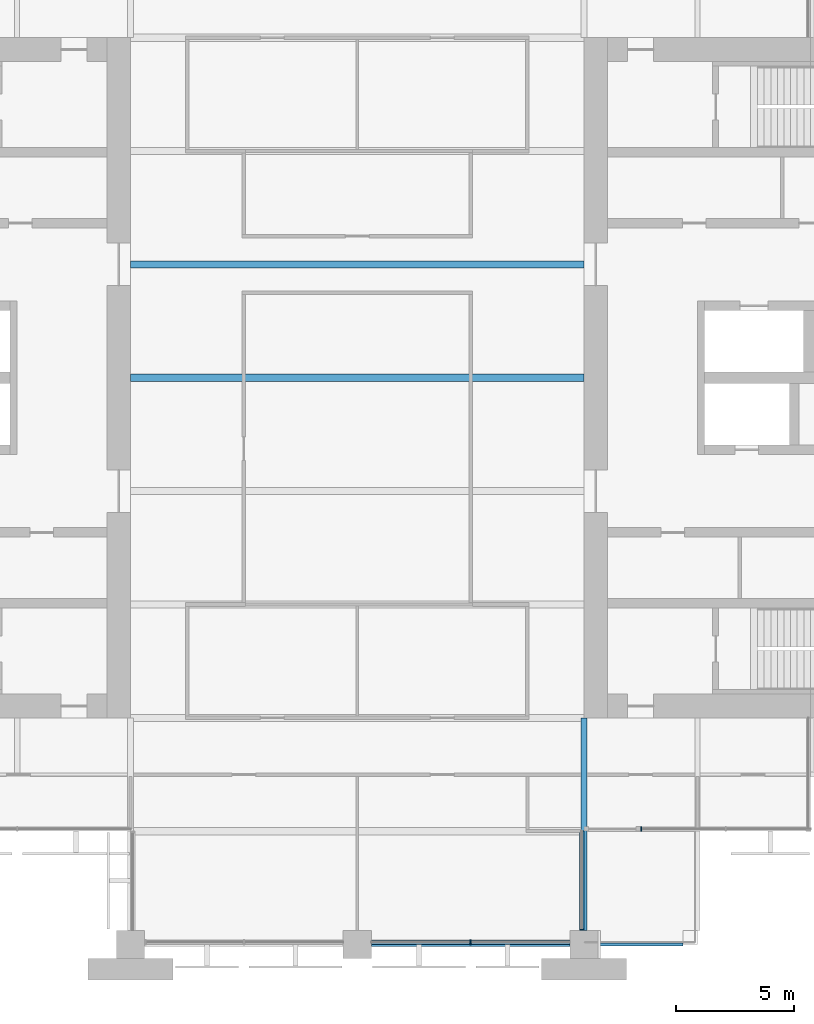
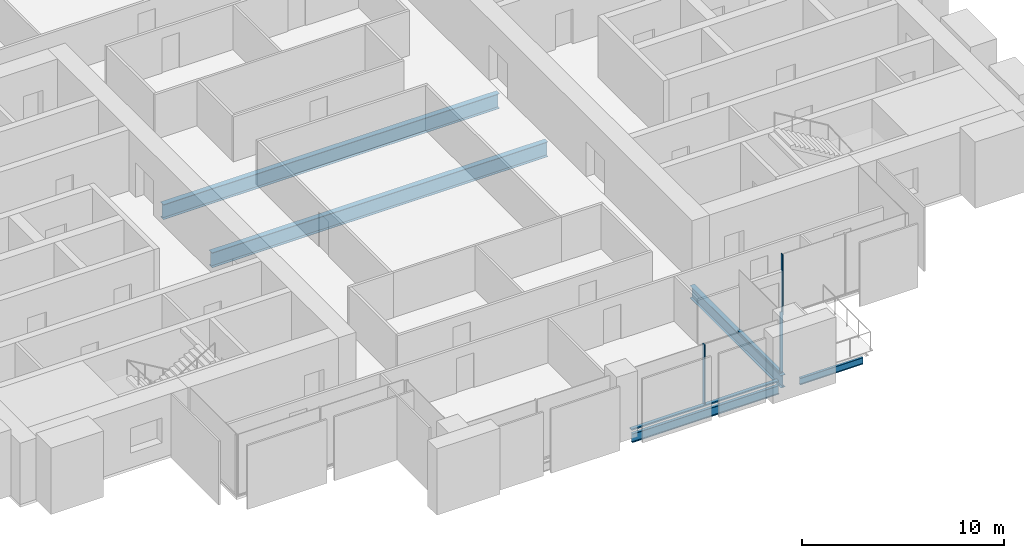
# One storey, part 3 of 13: 5 beams, 5 members, 3 elements without a shape of their own.
"""IFC4 building model written with IfcOpenShell, lengths in metres."""

from ifc_helpers import new_model, si_unit, direction, frame, origin, origin_2d, place, context, subcontext, project, spatial, rectangle, i_section, extrude, material, material_profile, profile_set, type_object, element, aggregate, save


model = new_model("IFC4")

# Units and contexts
model_context = context("Model", 3, precision=1e-05, world=origin(), true_north=direction((0.0, 1.0)))
body_context = subcontext(model_context, "Body", "Model", "MODEL_VIEW")
ifc_project = project(units=[si_unit("LENGTHUNIT", "METRE"), si_unit("AREAUNIT", "SQUARE_METRE"), si_unit("VOLUMEUNIT", "CUBIC_METRE"), si_unit("PLANEANGLEUNIT", "RADIAN"), si_unit("MASSUNIT", "GRAM", prefix="KILO")], contexts=[model_context])

# Site, building, storey
site_placement = place(None, origin())
site = spatial("IfcSite", under=ifc_project, at=site_placement, CompositionType="ELEMENT")
building_placement = place(site_placement, origin())
building = spatial("IfcBuilding", under=site, at=building_placement, Name="Baori Bourse Tower", CompositionType="ELEMENT")
storey_placement = place(building_placement, frame((0.0, 0.0, 172.10009765625)))
storey = spatial("IfcBuildingStorey", under=building, at=storey_placement, Name="L38", CompositionType="ELEMENT", Elevation=172.10009765625)

# Curtain wall, members
ifc_material_1 = material(Name="Pale anodised aluminium", Category="aluminium")
curtain_wall_type_1 = type_object("IfcCurtainWallType", Name="CW1 Curtain wall", PredefinedType="NOTDEFINED", material=ifc_material_1)
curtain_wall_1_placement = place(storey_placement, origin())
curtain_wall_1 = element("IfcCurtainWall", 1, at=curtain_wall_1_placement, inside=storey, type_object=curtain_wall_type_1, Name="Curtain wall CW1 L38 11", PredefinedType="NOTDEFINED")
ifc_material_2 = material(Name="Pale anodised aluminium", Category="aluminium")
ifc_material_profile_1 = material_profile(ifc_material_2, rectangle(XDim=0.199951171875, YDim=0.06005859375, at=origin_2d()), Name="Mullion 60x200")
ifc_profile_set_1 = profile_set([ifc_material_profile_1], Name="Pale anodised aluminium")
member_type_1 = type_object("IfcMemberType", Name="CW1 Curtain wall mullion", PredefinedType="MULLION", material=ifc_profile_set_1)
member_1_placement = place(storey_placement, frame((33.60009765625, 0.10009765625, 0.079833984375), z_axis=(0.0, 0.0, 1.0), x_axis=(0.0, 1.0, 0.0)))
member_1 = element("IfcMember", 2, at=member_1_placement, type_object=member_type_1, Name="Curtain wall CW1 mullion", PredefinedType="MULLION", context=body_context, shape_type="SweptSolid", body=[
    extrude(rectangle(XDim=0.199951171875, YDim=0.06005859375, at=origin_2d()), origin(), (0.0, 0.0, 1.0), 3.6201171875),
])
ifc_material_3 = material(Name="Pale anodised aluminium", Category="aluminium")
ifc_material_profile_2 = material_profile(ifc_material_3, rectangle(XDim=0.199951171875, YDim=0.080078125, at=origin_2d()), Name="Transom 80x200")
ifc_profile_set_2 = profile_set([ifc_material_profile_2], Name="Pale anodised aluminium")
member_type_2 = type_object("IfcMemberType", Name="CW1 Curtain wall transom", PredefinedType="USERDEFINED", material=ifc_profile_set_2)
member_2_placement = place(storey_placement, frame((29.39990234375, 0.10009765625, 0.039794921875), z_axis=(1.0, 0.0, 0.0), x_axis=(0.0, 1.0, 0.0)))
member_2 = element("IfcMember", 3, at=member_2_placement, type_object=member_type_2, Name="Curtain wall CW1 sill rail", ObjectType="TRANSOM", PredefinedType="USERDEFINED", context=body_context, shape_type="SweptSolid", body=[
    extrude(rectangle(XDim=0.199951171875, YDim=0.080078125, at=origin_2d()), origin(), (0.0, 0.0, 1.0), 8.400146484375),
])
aggregate(curtain_wall_1, [member_2, member_1])

# Curtain wall, member
ifc_material_4 = material(Name="Pale anodised aluminium", Category="aluminium")
curtain_wall_type_2 = type_object("IfcCurtainWallType", Name="CW2 Curtain wall", PredefinedType="NOTDEFINED", material=ifc_material_4)
curtain_wall_2_placement = place(storey_placement, origin())
curtain_wall_2 = element("IfcCurtainWall", 4, at=curtain_wall_2_placement, inside=storey, type_object=curtain_wall_type_2, Name="Curtain wall CW2 L38 12", PredefinedType="NOTDEFINED")
ifc_material_5 = material(Name="Pale anodised aluminium", Category="aluminium")
ifc_material_profile_3 = material_profile(ifc_material_5, rectangle(XDim=0.179931640625, YDim=0.054931640625, at=origin_2d()), Name="Mullion 55x180")
ifc_profile_set_3 = profile_set([ifc_material_profile_3], Name="Pale anodised aluminium")
member_type_3 = type_object("IfcMemberType", Name="CW2 Curtain wall mullion", PredefinedType="MULLION", material=ifc_profile_set_3)
member_3_placement = place(storey_placement, frame((38.31005859375, 0.62744140625, 0.06982421875), z_axis=(0.0, 0.0, 1.0), x_axis=(-1.0, 0.0, 0.0)))
member_3 = element("IfcMember", 5, at=member_3_placement, type_object=member_type_3, Name="Curtain wall CW2 mullion", PredefinedType="MULLION", context=body_context, shape_type="SweptSolid", body=[
    extrude(rectangle(XDim=0.179931640625, YDim=0.054931640625, at=origin_2d()), origin(), (0.0, 0.0, 1.0), 3.630126953125),
])

curtain_wall_3_placement = place(storey_placement, origin())
curtain_wall_3 = element("IfcCurtainWall", 6, at=curtain_wall_3_placement, inside=storey, type_object=curtain_wall_type_2, Name="Curtain wall CW2 L38 13", PredefinedType="NOTDEFINED")
member_4_placement = place(storey_placement, frame((40.827392578125, 4.889892578125, 0.06982421875), z_axis=(0.0, 0.0, 1.0), x_axis=(0.0, 1.0, 0.0)))
member_4 = element("IfcMember", 7, at=member_4_placement, type_object=member_type_3, Name="Curtain wall CW2 mullion", PredefinedType="MULLION", context=body_context, shape_type="SweptSolid", body=[
    extrude(rectangle(XDim=0.179931640625, YDim=0.054931640625, at=origin_2d()), origin(), (0.0, 0.0, 1.0), 3.630126953125),
])
aggregate(curtain_wall_3, [member_4])

# Member
ifc_material_6 = material(Name="Pale anodised aluminium", Category="aluminium")
ifc_material_profile_4 = material_profile(ifc_material_6, rectangle(XDim=0.179931640625, YDim=0.070068359375, at=origin_2d()), Name="Transom 70x180")
ifc_profile_set_4 = profile_set([ifc_material_profile_4], Name="Pale anodised aluminium")
member_type_4 = type_object("IfcMemberType", Name="CW2 Curtain wall transom", PredefinedType="USERDEFINED", material=ifc_profile_set_4)
member_5_placement = place(storey_placement, frame((38.31005859375, 0.60009765625, 0.034912109375), z_axis=(0.0, 1.0, 0.0), x_axis=(-1.0, 0.0, 0.0)))
member_5 = element("IfcMember", 8, at=member_5_placement, type_object=member_type_4, Name="Curtain wall CW2 sill rail", ObjectType="TRANSOM", PredefinedType="USERDEFINED", context=body_context, shape_type="SweptSolid", body=[
    extrude(rectangle(XDim=0.179931640625, YDim=0.070068359375, at=origin_2d()), origin(), (0.0, 0.0, 1.0), 4.199951171875),
])

aggregate(curtain_wall_2, [member_5, member_3])

# Beams
ifc_material_7 = material(Name="Steel A992 Gr 50", Category="steel")
ifc_material_profile_5 = material_profile(ifc_material_7, i_section(OverallWidth=0.140380859375, OverallDepth=0.40380859375, WebThickness=0.007080078125, FlangeThickness=0.01123046875, at=origin_2d()), Name="W16x31")
ifc_profile_set_5 = profile_set([ifc_material_profile_5], Name="Steel A992 Gr 50")
beam_type_1 = type_object("IfcBeamType", Name="Edge beam W16x31", PredefinedType="BEAM", material=ifc_profile_set_5)
beam_1_placement = place(storey_placement, frame((39.0, 0.0, -0.362060546875), z_axis=(1.0, 0.0, 0.0), x_axis=(0.0, 1.0, 0.0)))
element("IfcBeam", 9, at=beam_1_placement, inside=storey, type_object=beam_type_1, Name="Edge beam L38", PredefinedType="BEAM", context=body_context, shape_type="SweptSolid", body=[
    extrude(i_section(OverallWidth=0.140380859375, OverallDepth=0.40380859375, WebThickness=0.007080078125, FlangeThickness=0.01123046875, at=origin_2d()), origin(), (0.0, 0.0, 1.0), 3.60009765625),
])
ifc_material_8 = material(Name="Steel A992 Gr 50", Category="steel")
ifc_material_profile_6 = material_profile(ifc_material_8, i_section(OverallWidth=0.1650390625, OverallDepth=0.52587890625, WebThickness=0.0087890625, FlangeThickness=0.011474609375, at=origin_2d()), Name="W21x44")
ifc_profile_set_6 = profile_set([ifc_material_profile_6], Name="Steel A992 Gr 50")
beam_type_2 = type_object("IfcBeamType", Name="Edge beam W21x44", PredefinedType="BEAM", material=ifc_profile_set_6)
beam_2_placement = place(storey_placement, frame((29.39990234375, 0.0, -0.423095703125), z_axis=(1.0, 0.0, 0.0), x_axis=(0.0, 1.0, 0.0)))
element("IfcBeam", 10, at=beam_2_placement, inside=storey, type_object=beam_type_2, Name="Edge beam L38", PredefinedType="BEAM", context=body_context, shape_type="SweptSolid", body=[
    extrude(i_section(OverallWidth=0.1650390625, OverallDepth=0.52587890625, WebThickness=0.0087890625, FlangeThickness=0.011474609375, at=origin_2d()), origin(), (0.0, 0.0, 1.0), 8.400146484375),
])
ifc_material_9 = material(Name="Steel A992 Gr 50", Category="steel")
ifc_material_profile_7 = material_profile(ifc_material_9, i_section(OverallWidth=0.3046875, OverallDepth=0.904296875, WebThickness=0.01513671875, FlangeThickness=0.02001953125, at=origin_2d()), Name="W36x135")
ifc_profile_set_7 = profile_set([ifc_material_profile_7], Name="Steel A992 Gr 50")
beam_type_3 = type_object("IfcBeamType", Name="Floor beam W36x135", PredefinedType="BEAM", material=ifc_profile_set_7)
for number, where, z_axis, x_axis, name in (
    (11, (19.199951171875, 24.0, -0.6123046875), (1.0, 0.0, 0.0), (0.0, 1.0, 0.0), "Floor beam L38"),
    (12, (19.199951171875, 28.800048828125, -0.6123046875), (1.0, 0.0, 0.0), (0.0, 1.0, 0.0), "Floor beam L38"),
):
    element("IfcBeam", number, at=place(storey_placement, frame(where, z_axis=z_axis, x_axis=x_axis)), inside=storey, type_object=beam_type_3, Name=name, PredefinedType="BEAM", context=body_context, shape_type="SweptSolid", body=[
        extrude(i_section(OverallWidth=0.3046875, OverallDepth=0.904296875, WebThickness=0.01513671875, FlangeThickness=0.02001953125, at=origin_2d()), origin(), (0.0, 0.0, 1.0), 19.199951171875),
    ])
ifc_material_10 = material(Name="Steel A992 Gr 50", Category="steel")
ifc_material_profile_8 = material_profile(ifc_material_10, i_section(OverallWidth=0.26416015625, OverallDepth=0.749267578125, WebThickness=0.011962890625, FlangeThickness=0.015380859375, at=origin_2d()), Name="W30x90")
ifc_profile_set_8 = profile_set([ifc_material_profile_8], Name="Steel A992 Gr 50")
beam_type_4 = type_object("IfcBeamType", Name="Girder W30x90", PredefinedType="BEAM", material=ifc_profile_set_8)
beam_3_placement = place(storey_placement, frame((38.39990234375, 0.60009765625, -0.53466796875), z_axis=(0.0, 1.0, 0.0), x_axis=(-1.0, 0.0, 0.0)))
element("IfcBeam", 13, at=beam_3_placement, inside=storey, type_object=beam_type_4, Name="Girder L38", PredefinedType="BEAM", context=body_context, shape_type="SweptSolid", body=[
    extrude(i_section(OverallWidth=0.26416015625, OverallDepth=0.749267578125, WebThickness=0.011962890625, FlangeThickness=0.015380859375, at=origin_2d()), origin(), (0.0, 0.0, 1.0), 9.0),
])

save(model, "model.ifc")
